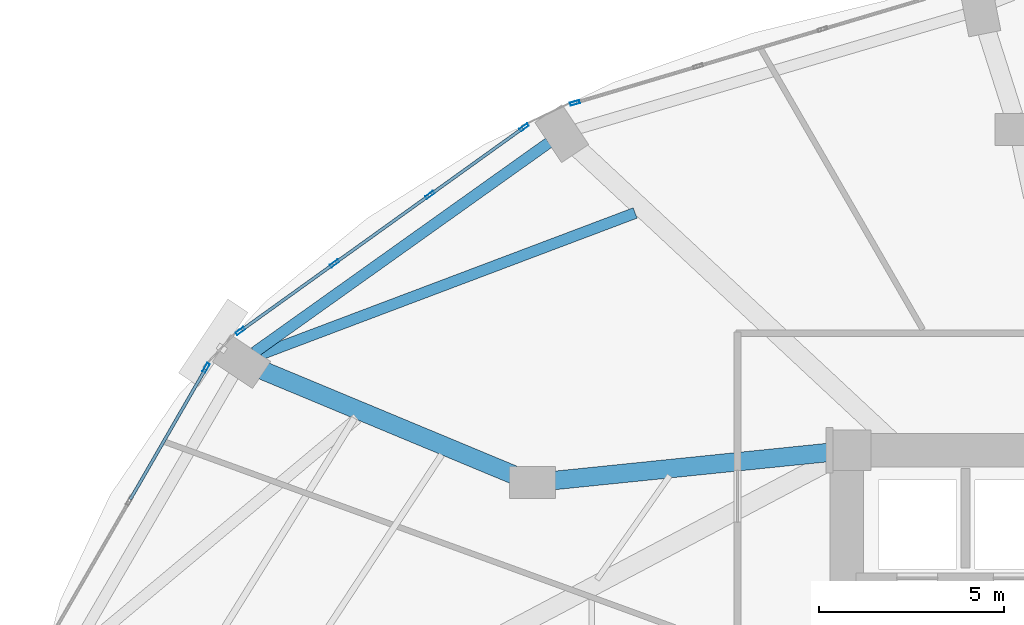
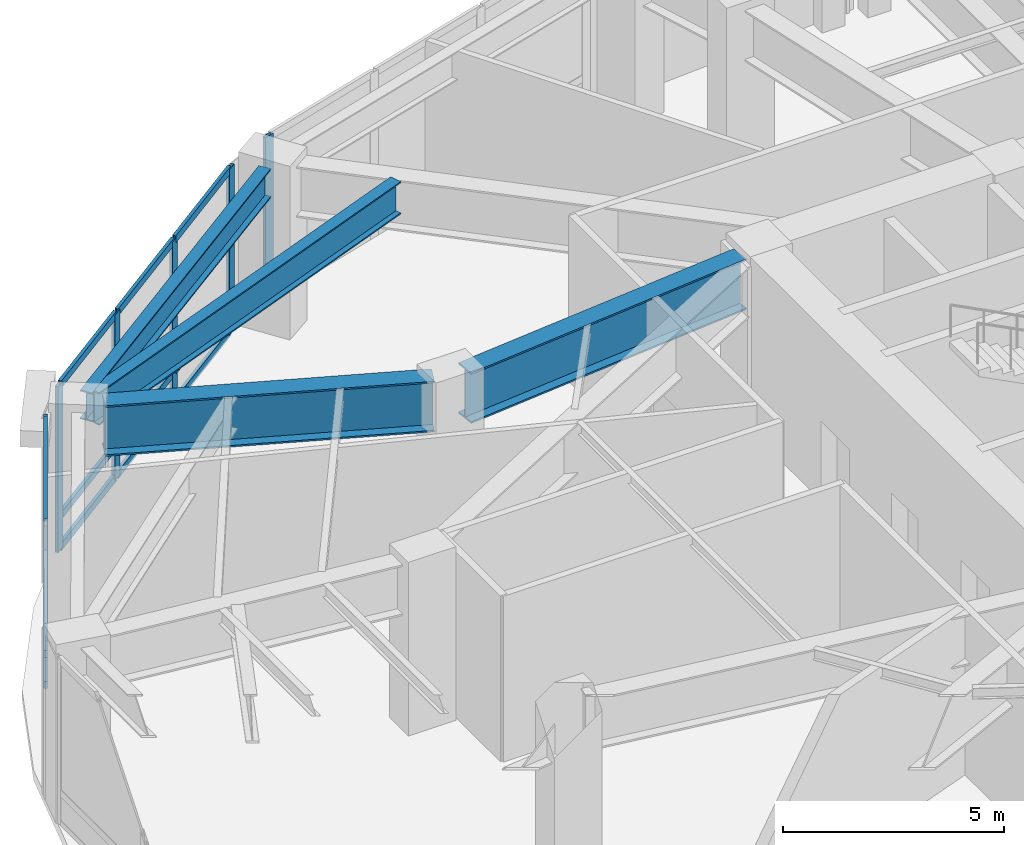
# One storey, part 13 of 24: 18 members, 4 beams, 3 elements without a shape of their own.
"""IFC4 building model written with IfcOpenShell, lengths in metres."""

from ifc_helpers import new_model, si_unit, direction, frame, origin, origin_2d, place, context, subcontext, project, spatial, hollow_rectangle, i_section, extrude, material, layer, layer_set, material_profile, profile_set, type_object, element, aggregate, save


model = new_model("IFC4")

# Units and contexts
model_context = context("Model", 3, precision=1e-05, world=origin(), true_north=direction((0.0, 1.0)))
body_context = subcontext(model_context, "Body", "Model", "MODEL_VIEW")
ifc_project = project(units=[si_unit("LENGTHUNIT", "METRE"), si_unit("AREAUNIT", "SQUARE_METRE"), si_unit("VOLUMEUNIT", "CUBIC_METRE"), si_unit("PLANEANGLEUNIT", "RADIAN"), si_unit("MASSUNIT", "GRAM", prefix="KILO")], contexts=[model_context])

# Site, building, storey
site_placement = place(None, origin())
site = spatial("IfcSite", under=ifc_project, at=site_placement, CompositionType="ELEMENT")
building_placement = place(site_placement, origin())
building = spatial("IfcBuilding", under=site, at=building_placement, Name="Lazwardi Medical Tower", CompositionType="ELEMENT")
storey_placement = place(building_placement, frame((0.0, 0.0, 20.39990234375)))
storey = spatial("IfcBuildingStorey", under=building, at=storey_placement, Name="L04", CompositionType="ELEMENT", Elevation=20.39990234375)

# Beams
ifc_material_1 = material(Name="Steel S460", Category="steel")
ifc_material_profile_1 = material_profile(ifc_material_1, i_section(OverallWidth=0.300048828125, OverallDepth=0.89990234375, WebThickness=0.0185546875, FlangeThickness=0.034912109375, at=origin_2d()), Name="HEB 900")
ifc_profile_set_1 = profile_set([ifc_material_profile_1], Name="Steel S460")
beam_type_1 = type_object("IfcBeamType", Name="BM-HB-01", PredefinedType="BEAM", material=ifc_profile_set_1)
beam_1_placement = place(storey_placement, frame((20.58984375, 41.997314453125, 4.130126953125), z_axis=(-0.935529614966, -0.353248268957, 0.0), x_axis=(0.353248268957, -0.935529614966, 0.0)))
element("IfcBeam", 1, at=beam_1_placement, inside=storey, type_object=beam_type_1, Name="Transfer girder tie HB-01 M10 L04", PredefinedType="BEAM", context=body_context, shape_type="SweptSolid", body=[
    extrude(i_section(OverallWidth=0.300048828125, OverallDepth=0.89990234375, WebThickness=0.0185546875, FlangeThickness=0.034912109375, at=origin_2d()), origin(), (0.0, 0.0, 1.0), 10.786376953125),
])
ifc_material_2 = material(Name="Steel S355", Category="steel")
ifc_material_profile_2 = material_profile(ifc_material_2, i_section(OverallWidth=0.300048828125, OverallDepth=0.800048828125, WebThickness=0.017578125, FlangeThickness=0.032958984375, at=origin_2d()), Name="HEB 800")
ifc_profile_set_2 = profile_set([ifc_material_profile_2], Name="Steel S355")
beam_type_2 = type_object("IfcBeamType", Name="BM-RB-P1", PredefinedType="BEAM", material=ifc_profile_set_2)
beam_2_placement = place(storey_placement, frame((18.260498046875, 43.892333984375, 4.18017578125), z_axis=(-0.814437186887, -0.580251728663, 0.0), x_axis=(0.580251728663, -0.814437186887, 0.0)))
element("IfcBeam", 2, at=beam_2_placement, inside=storey, type_object=beam_type_2, Name="Ring beam RB-01 B10 L04", PredefinedType="BEAM", context=body_context, shape_type="SweptSolid", body=[
    extrude(i_section(OverallWidth=0.300048828125, OverallDepth=0.800048828125, WebThickness=0.017578125, FlangeThickness=0.032958984375, at=origin_2d()), origin(), (0.0, 0.0, 1.0), 9.743408203125),
])
ifc_material_profile_3 = material_profile(ifc_material_1, i_section(OverallWidth=0.5, OverallDepth=1.39990234375, WebThickness=0.028076171875, FlangeThickness=0.044921875, at=origin_2d()), Name="PG 1400x500")
ifc_profile_set_3 = profile_set([ifc_material_profile_3], Name="Steel S460")
beam_type_3 = type_object("IfcBeamType", Name="BM-TG-01", PredefinedType="BEAM", material=ifc_profile_set_3)
beam_3_placement = place(storey_placement, frame((10.510498046875, 37.766357421875, 3.880126953125), z_axis=(0.923279462658, -0.38412892866, 0.0), x_axis=(0.38412892866, 0.923279462658, 0.0)))
element("IfcBeam", 3, at=beam_3_placement, inside=storey, type_object=beam_type_3, Name="Transfer girder TG-01 M11A L04", PredefinedType="BEAM", context=body_context, shape_type="SweptSolid", body=[
    extrude(i_section(OverallWidth=0.5, OverallDepth=1.39990234375, WebThickness=0.028076171875, FlangeThickness=0.044921875, at=origin_2d()), origin(), (0.0, 0.0, 1.0), 7.52001953125),
])
beam_4_placement = place(storey_placement, frame((18.220947265625, 34.7646484375, 3.880126953125), z_axis=(0.994824908551, 0.101604140299, 0.0), x_axis=(-0.101604140299, 0.994824908551, 0.0)))
element("IfcBeam", 4, at=beam_4_placement, inside=storey, type_object=beam_type_3, Name="Transfer girder TG-01 M11B L04", PredefinedType="BEAM", context=body_context, shape_type="SweptSolid", body=[
    extrude(i_section(OverallWidth=0.5, OverallDepth=1.39990234375, WebThickness=0.028076171875, FlangeThickness=0.044921875, at=origin_2d()), origin(), (0.0, 0.0, 1.0), 7.686767578125),
])

# Curtain wall, member
ifc_material_3 = material(Name="Anodised bronze aluminium and solar control glazing", Category="aluminium")
ifc_layer = layer(ifc_material_3, 0.219970703125)
ifc_layer_set = layer_set([ifc_layer], Name="Anodised bronze aluminium and solar control glazing")
curtain_wall_type = type_object("IfcCurtainWallType", Name="CW-SYS-01", PredefinedType="NOTDEFINED", material=ifc_layer_set)
curtain_wall_1_placement = place(storey_placement, origin())
curtain_wall_1 = element("IfcCurtainWall", 5, at=curtain_wall_1_placement, inside=storey, type_object=curtain_wall_type, Name="L04 Unitised bronze curtain wall CW-01", PredefinedType="NOTDEFINED")
ifc_material_4 = material(Name="Anodised bronze aluminium", Category="aluminium")
ifc_material_profile_4 = material_profile(ifc_material_4, hollow_rectangle(XDim=0.0849609375, YDim=0.260009765625, WallThickness=0.0048828125, at=origin_2d()), Name="ALU-MULLION 260x85x5")
ifc_profile_set_4 = profile_set([ifc_material_profile_4], Name="Anodised bronze aluminium")
member_type_1 = type_object("IfcMemberType", Name="CW-MUL-02", PredefinedType="MULLION", material=ifc_profile_set_4)
member_1_placement = place(storey_placement, frame((18.966064453125, 44.96630859375, 0.0), z_axis=(0.0, 0.0, 1.0), x_axis=(0.285047195531, -0.958513482597, 0.0)))
member_1 = element("IfcMember", 6, at=member_1_placement, type_object=member_type_1, Name="CW-01 mullion 4", PredefinedType="MULLION", context=body_context, shape_type="SweptSolid", body=[
    extrude(hollow_rectangle(XDim=0.0849609375, YDim=0.260009765625, WallThickness=0.0048828125, at=origin_2d()), origin(), (0.0, 0.0, 1.0), 4.580078125),
])
aggregate(curtain_wall_1, [member_1])

# Curtain wall, members
curtain_wall_2_placement = place(storey_placement, origin())
curtain_wall_2 = element("IfcCurtainWall", 7, at=curtain_wall_2_placement, inside=storey, type_object=curtain_wall_type, Name="L04 Unitised bronze curtain wall CW-01", PredefinedType="NOTDEFINED")
member_2_placement = place(storey_placement, frame((17.59423828125, 44.3076171875, 0.0), z_axis=(0.0, 0.0, 1.0), x_axis=(0.583214260584, -0.812318365083, 0.0)))
member_2 = element("IfcMember", 8, at=member_2_placement, type_object=member_type_1, Name="CW-01 mullion 1", PredefinedType="MULLION", context=body_context, shape_type="SweptSolid", body=[
    extrude(hollow_rectangle(XDim=0.0849609375, YDim=0.260009765625, WallThickness=0.0048828125, at=origin_2d()), origin(), (0.0, 0.0, 1.0), 4.580078125),
])
member_3_placement = place(storey_placement, frame((15.055419921875, 42.48486328125, 0.0), z_axis=(0.0, 0.0, 1.0), x_axis=(0.583214260584, -0.812318365083, 0.0)))
member_3 = element("IfcMember", 9, at=member_3_placement, type_object=member_type_1, Name="CW-01 mullion 2", PredefinedType="MULLION", context=body_context, shape_type="SweptSolid", body=[
    extrude(hollow_rectangle(XDim=0.0849609375, YDim=0.260009765625, WallThickness=0.0048828125, at=origin_2d()), origin(), (0.0, 0.0, 1.0), 4.580078125),
])
member_4_placement = place(storey_placement, frame((12.482177734375, 40.63720703125, 0.0), z_axis=(0.0, 0.0, 1.0), x_axis=(0.583214260584, -0.812318365083, 0.0)))
member_4 = element("IfcMember", 10, at=member_4_placement, type_object=member_type_1, Name="CW-01 mullion 3", PredefinedType="MULLION", context=body_context, shape_type="SweptSolid", body=[
    extrude(hollow_rectangle(XDim=0.0849609375, YDim=0.260009765625, WallThickness=0.0048828125, at=origin_2d()), origin(), (0.0, 0.0, 1.0), 4.580078125),
])
member_5_placement = place(storey_placement, frame((9.943359375, 38.814453125, 0.0), z_axis=(0.0, 0.0, 1.0), x_axis=(0.583214260584, -0.812318365083, 0.0)))
member_5 = element("IfcMember", 11, at=member_5_placement, type_object=member_type_1, Name="CW-01 mullion 4", PredefinedType="MULLION", context=body_context, shape_type="SweptSolid", body=[
    extrude(hollow_rectangle(XDim=0.0849609375, YDim=0.260009765625, WallThickness=0.0048828125, at=origin_2d()), origin(), (0.0, 0.0, 1.0), 4.580078125),
])

# Curtain wall, member
curtain_wall_3_placement = place(storey_placement, origin())
curtain_wall_3 = element("IfcCurtainWall", 12, at=curtain_wall_3_placement, inside=storey, type_object=curtain_wall_type, Name="L04 Unitised bronze curtain wall CW-01", PredefinedType="NOTDEFINED")
member_6_placement = place(storey_placement, frame((9.021240234375, 37.822021484375, 0.0), z_axis=(0.0, 0.0, 1.0), x_axis=(0.866180607783, -0.499731082384, 0.0)))
member_6 = element("IfcMember", 13, at=member_6_placement, type_object=member_type_1, Name="CW-01 mullion 1", PredefinedType="MULLION", context=body_context, shape_type="SweptSolid", body=[
    extrude(hollow_rectangle(XDim=0.0849609375, YDim=0.260009765625, WallThickness=0.0048828125, at=origin_2d()), origin(), (0.0, 0.0, 1.0), 4.580078125),
])

# Member
ifc_material_profile_5 = material_profile(ifc_material_4, hollow_rectangle(XDim=0.0849609375, YDim=0.199951171875, WallThickness=0.00439453125, at=origin_2d()), Name="ALU-TRANSOM 200x85x4.5")
ifc_profile_set_5 = profile_set([ifc_material_profile_5], Name="Anodised bronze aluminium")
member_type_2 = type_object("IfcMemberType", Name="CW-TRN-02", PredefinedType="USERDEFINED", material=ifc_profile_set_5)
member_7_placement = place(storey_placement, frame((17.559814453125, 44.28271484375, 0.04248046875), z_axis=(-0.812314954496, -0.583219010924, 0.0), x_axis=(0.583219010924, -0.812314954496, 0.0)))
member_7 = element("IfcMember", 14, at=member_7_placement, type_object=member_type_2, Name="CW-01 transom 1.1", ObjectType="TRANSOM", PredefinedType="USERDEFINED", context=body_context, shape_type="SweptSolid", body=[
    extrude(hollow_rectangle(XDim=0.0849609375, YDim=0.199951171875, WallThickness=0.00439453125, at=origin_2d()), origin(), (0.0, 0.0, 1.0), 3.040283203125),
])

member_8_placement = place(storey_placement, frame((17.559814453125, 44.28271484375, 0.900146484375), z_axis=(-0.812314954496, -0.583219010924, 0.0), x_axis=(0.583219010924, -0.812314954496, 0.0)))
member_8 = element("IfcMember", 15, at=member_8_placement, type_object=member_type_2, Name="CW-01 transom 1.2", ObjectType="TRANSOM", PredefinedType="USERDEFINED", context=body_context, shape_type="SweptSolid", body=[
    extrude(hollow_rectangle(XDim=0.0849609375, YDim=0.199951171875, WallThickness=0.00439453125, at=origin_2d()), origin(), (0.0, 0.0, 1.0), 3.040283203125),
])

member_9_placement = place(storey_placement, frame((17.559814453125, 44.28271484375, 4.53759765625), z_axis=(-0.812314954496, -0.583219010924, 0.0), x_axis=(0.583219010924, -0.812314954496, 0.0)))
member_9 = element("IfcMember", 16, at=member_9_placement, type_object=member_type_2, Name="CW-01 transom 1.3", ObjectType="TRANSOM", PredefinedType="USERDEFINED", context=body_context, shape_type="SweptSolid", body=[
    extrude(hollow_rectangle(XDim=0.0849609375, YDim=0.199951171875, WallThickness=0.00439453125, at=origin_2d()), origin(), (0.0, 0.0, 1.0), 3.040283203125),
])

member_10_placement = place(storey_placement, frame((15.02099609375, 42.4599609375, 0.04248046875), z_axis=(-0.812350668283, -0.583169265085, 0.0), x_axis=(0.583169265085, -0.812350668283, 0.0)))
member_10 = element("IfcMember", 17, at=member_10_placement, type_object=member_type_2, Name="CW-01 transom 2.1", ObjectType="TRANSOM", PredefinedType="USERDEFINED", context=body_context, shape_type="SweptSolid", body=[
    extrude(hollow_rectangle(XDim=0.0849609375, YDim=0.199951171875, WallThickness=0.00439453125, at=origin_2d()), origin(), (0.0, 0.0, 1.0), 3.0830078125),
])

member_11_placement = place(storey_placement, frame((15.02099609375, 42.4599609375, 0.900146484375), z_axis=(-0.812350668283, -0.583169265085, 0.0), x_axis=(0.583169265085, -0.812350668283, 0.0)))
member_11 = element("IfcMember", 18, at=member_11_placement, type_object=member_type_2, Name="CW-01 transom 2.2", ObjectType="TRANSOM", PredefinedType="USERDEFINED", context=body_context, shape_type="SweptSolid", body=[
    extrude(hollow_rectangle(XDim=0.0849609375, YDim=0.199951171875, WallThickness=0.00439453125, at=origin_2d()), origin(), (0.0, 0.0, 1.0), 3.0830078125),
])

member_12_placement = place(storey_placement, frame((15.02099609375, 42.4599609375, 4.53759765625), z_axis=(-0.812350668283, -0.583169265085, 0.0), x_axis=(0.583169265085, -0.812350668283, 0.0)))
member_12 = element("IfcMember", 19, at=member_12_placement, type_object=member_type_2, Name="CW-01 transom 2.3", ObjectType="TRANSOM", PredefinedType="USERDEFINED", context=body_context, shape_type="SweptSolid", body=[
    extrude(hollow_rectangle(XDim=0.0849609375, YDim=0.199951171875, WallThickness=0.00439453125, at=origin_2d()), origin(), (0.0, 0.0, 1.0), 3.0830078125),
])

member_13_placement = place(storey_placement, frame((12.44775390625, 40.612548828125, 0.04248046875), z_axis=(-0.812314954496, -0.583219010924, 0.0), x_axis=(0.583219010924, -0.812314954496, 0.0)))
member_13 = element("IfcMember", 20, at=member_13_placement, type_object=member_type_2, Name="CW-01 transom 3.1", ObjectType="TRANSOM", PredefinedType="USERDEFINED", context=body_context, shape_type="SweptSolid", body=[
    extrude(hollow_rectangle(XDim=0.0849609375, YDim=0.199951171875, WallThickness=0.00439453125, at=origin_2d()), origin(), (0.0, 0.0, 1.0), 3.040283203125),
])

member_14_placement = place(storey_placement, frame((12.44775390625, 40.612548828125, 0.900146484375), z_axis=(-0.812314954496, -0.583219010924, 0.0), x_axis=(0.583219010924, -0.812314954496, 0.0)))
member_14 = element("IfcMember", 21, at=member_14_placement, type_object=member_type_2, Name="CW-01 transom 3.2", ObjectType="TRANSOM", PredefinedType="USERDEFINED", context=body_context, shape_type="SweptSolid", body=[
    extrude(hollow_rectangle(XDim=0.0849609375, YDim=0.199951171875, WallThickness=0.00439453125, at=origin_2d()), origin(), (0.0, 0.0, 1.0), 3.040283203125),
])

member_15_placement = place(storey_placement, frame((12.44775390625, 40.612548828125, 4.53759765625), z_axis=(-0.812314954496, -0.583219010924, 0.0), x_axis=(0.583219010924, -0.812314954496, 0.0)))
member_15 = element("IfcMember", 22, at=member_15_placement, type_object=member_type_2, Name="CW-01 transom 3.3", ObjectType="TRANSOM", PredefinedType="USERDEFINED", context=body_context, shape_type="SweptSolid", body=[
    extrude(hollow_rectangle(XDim=0.0849609375, YDim=0.199951171875, WallThickness=0.00439453125, at=origin_2d()), origin(), (0.0, 0.0, 1.0), 3.040283203125),
])

aggregate(curtain_wall_2, [member_2, member_3, member_4, member_5, member_7, member_8, member_9, member_10, member_11, member_12, member_13, member_14, member_15])

member_16_placement = place(storey_placement, frame((9.000244140625, 37.78515625, 0.04248046875), z_axis=(-0.499767651026, -0.866159508975, 0.0), x_axis=(0.866159508975, -0.499767651026, 0.0)))
member_16 = element("IfcMember", 23, at=member_16_placement, type_object=member_type_2, Name="CW-01 transom 1.1", ObjectType="TRANSOM", PredefinedType="USERDEFINED", context=body_context, shape_type="SweptSolid", body=[
    extrude(hollow_rectangle(XDim=0.0849609375, YDim=0.199951171875, WallThickness=0.00439453125, at=origin_2d()), origin(), (0.0, 0.0, 1.0), 4.052734375),
])

member_17_placement = place(storey_placement, frame((9.000244140625, 37.78515625, 0.900146484375), z_axis=(-0.499767651026, -0.866159508975, 0.0), x_axis=(0.866159508975, -0.499767651026, 0.0)))
member_17 = element("IfcMember", 24, at=member_17_placement, type_object=member_type_2, Name="CW-01 transom 1.2", ObjectType="TRANSOM", PredefinedType="USERDEFINED", context=body_context, shape_type="SweptSolid", body=[
    extrude(hollow_rectangle(XDim=0.0849609375, YDim=0.199951171875, WallThickness=0.00439453125, at=origin_2d()), origin(), (0.0, 0.0, 1.0), 4.052734375),
])

member_18_placement = place(storey_placement, frame((9.000244140625, 37.78515625, 4.53759765625), z_axis=(-0.499767651026, -0.866159508975, 0.0), x_axis=(0.866159508975, -0.499767651026, 0.0)))
member_18 = element("IfcMember", 25, at=member_18_placement, type_object=member_type_2, Name="CW-01 transom 1.3", ObjectType="TRANSOM", PredefinedType="USERDEFINED", context=body_context, shape_type="SweptSolid", body=[
    extrude(hollow_rectangle(XDim=0.0849609375, YDim=0.199951171875, WallThickness=0.00439453125, at=origin_2d()), origin(), (0.0, 0.0, 1.0), 4.052734375),
])

aggregate(curtain_wall_3, [member_6, member_16, member_17, member_18])

save(model, "model.ifc")
